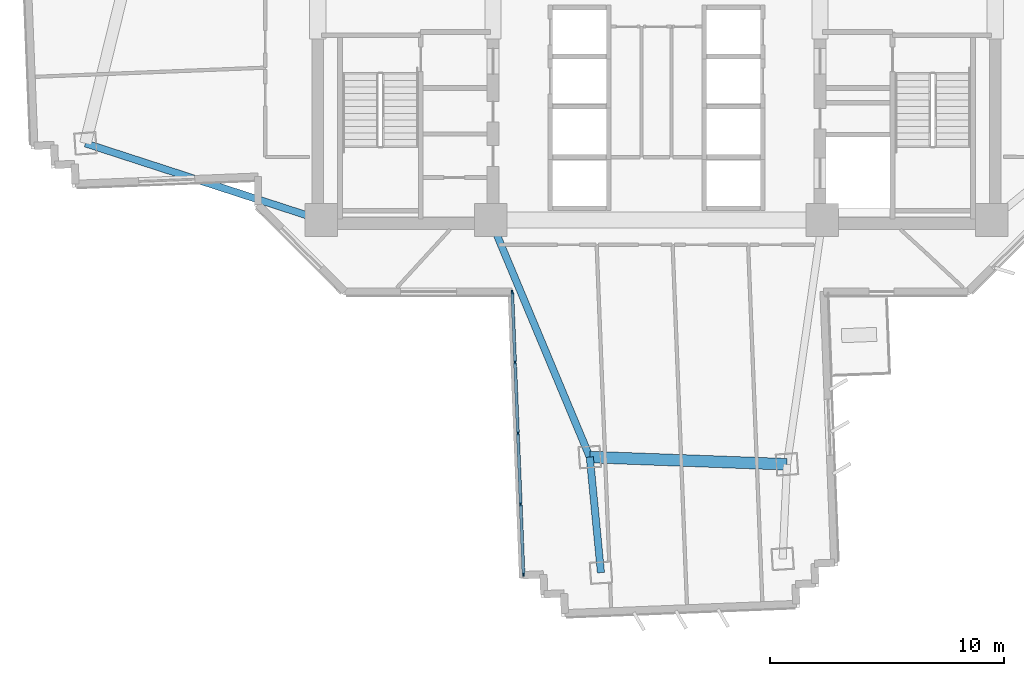
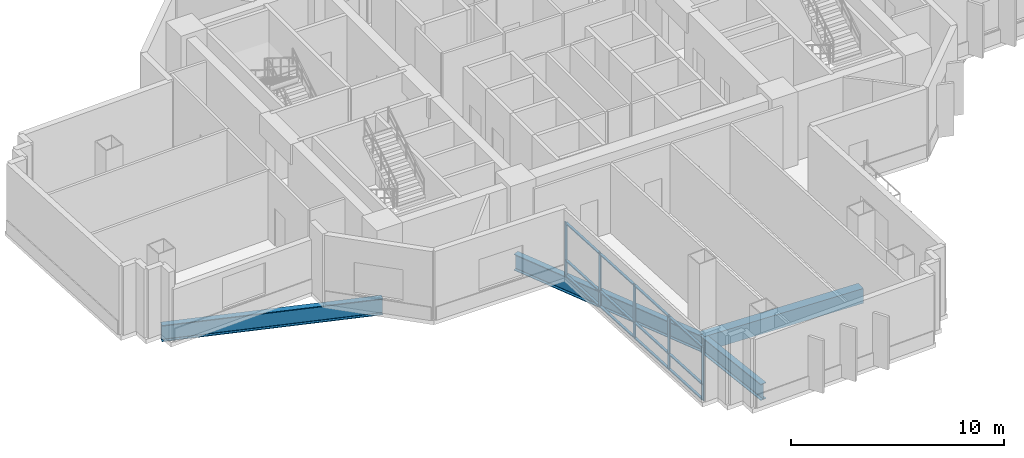
# One storey, part 2 of 16: 17 members, 4 beams, 1 element without a shape of its own.
"""IFC4 building model written with IfcOpenShell, lengths in metres."""

from ifc_helpers import new_model, si_unit, direction, frame, origin, origin_2d, place, context, subcontext, project, spatial, rectangle, i_section, extrude, source, transform, mapped, material, layer, layer_set, material_profile, profile_set, type_object, element, aggregate, save


model = new_model("IFC4")

# Units and contexts
model_context = context("Model", 3, precision=1e-05, world=origin(), true_north=direction((0.0, 1.0)))
body_context = subcontext(model_context, "Body", "Model", "MODEL_VIEW")
ifc_project = project(units=[si_unit("LENGTHUNIT", "METRE"), si_unit("AREAUNIT", "SQUARE_METRE"), si_unit("VOLUMEUNIT", "CUBIC_METRE"), si_unit("PLANEANGLEUNIT", "RADIAN"), si_unit("MASSUNIT", "GRAM", prefix="KILO")], contexts=[model_context])

# Site, building, storey
site_placement = place(None, origin())
site = spatial("IfcSite", under=ifc_project, at=site_placement, CompositionType="ELEMENT")
building_placement = place(site_placement, origin())
building = spatial("IfcBuilding", under=site, at=building_placement, Name="Zahravan Cultural Tower", CompositionType="ELEMENT")
storey_placement = place(building_placement, frame((0.0, 0.0, 54.300048828125)))
storey = spatial("IfcBuildingStorey", under=building, at=storey_placement, Name="L11", CompositionType="ELEMENT", Elevation=54.300048828125)

# Beams
ifc_material_1 = material(Name="Steel ASTM A992 Grade 50", Category="steel")
ifc_material_profile_1 = material_profile(ifc_material_1, i_section(OverallWidth=0.30908203125, OverallDepth=0.931884765625, WebThickness=0.02099609375, FlangeThickness=0.034423828125, FilletRadius=0.02392578125, at=origin_2d()), Name="W36X210")
ifc_profile_set_1 = profile_set([ifc_material_profile_1], Name="Steel ASTM A992 Grade 50")
beam_type_1 = type_object("IfcBeamType", Name="BM-G-W36X210", PredefinedType="BEAM", material=ifc_profile_set_1)
shared_shape_1 = source(origin(), body_context, "Body", "SweptSolid", [
    extrude(i_section(OverallWidth=0.30908203125, OverallDepth=0.931884765625, WebThickness=0.02099609375, FlangeThickness=0.034423828125, FilletRadius=0.02392578125, at=origin_2d()), origin(), (0.0, 0.0, 1.0), 10.615966796875),
])
beam_1_placement = place(storey_placement, frame((21.64990234375, 17.800048828125, -0.716064453125), z_axis=(-0.951063640083, 0.30899506875, 0.0), x_axis=(-0.30899506875, -0.951063640083, 0.0)))
element("IfcBeam", 1, at=beam_1_placement, inside=storey, type_object=beam_type_1, Name="L11 Beam BG-L11-07", PredefinedType="BEAM", context=body_context, shape_type="MappedRepresentation", body=[
    mapped(shared_shape_1, transform((0.0, 0.0, 0.0), x_axis=(1.0, 0.0, 0.0), y_axis=(0.0, 1.0, 0.0), z_axis=(0.0, 0.0, 1.0), scale=1.0)),
])
shared_shape_2 = source(origin(), body_context, "Body", "SweptSolid", [
    extrude(i_section(OverallWidth=0.30908203125, OverallDepth=0.931884765625, WebThickness=0.02099609375, FlangeThickness=0.034423828125, FilletRadius=0.02392578125, at=origin_2d()), origin(), (0.0, 0.0, 1.0), 10.997802734375),
])
beam_2_placement = place(storey_placement, frame((28.89990234375, 17.800048828125, -0.716064453125), z_axis=(0.385775211449, -0.922592806297, 0.0), x_axis=(0.922592806297, 0.385775211449, 0.0)))
element("IfcBeam", 2, at=beam_2_placement, inside=storey, type_object=beam_type_1, Name="L11 Beam BG-L11-08", PredefinedType="BEAM", context=body_context, shape_type="MappedRepresentation", body=[
    mapped(shared_shape_2, transform((0.0, 0.0, 0.0), x_axis=(1.0, 0.0, 0.0), y_axis=(0.0, 1.0, 0.0), z_axis=(0.0, 0.0, 1.0), scale=1.0)),
])
shared_shape_3 = source(origin(), body_context, "Body", "SweptSolid", [
    extrude(i_section(OverallWidth=0.30908203125, OverallDepth=0.931884765625, WebThickness=0.02099609375, FlangeThickness=0.034423828125, FilletRadius=0.02392578125, at=origin_2d()), origin(), (0.0, 0.0, 1.0), 4.973876953125),
])
beam_3_placement = place(storey_placement, frame((33.142578125, 7.653564453125, -0.716064453125), z_axis=(0.096154779131, -0.995366394073, 0.0), x_axis=(0.995366394073, 0.096154779131, 0.0)))
element("IfcBeam", 3, at=beam_3_placement, inside=storey, type_object=beam_type_1, Name="L11 Beam BG-L11-17", PredefinedType="BEAM", context=body_context, shape_type="MappedRepresentation", body=[
    mapped(shared_shape_3, transform((0.0, 0.0, 0.0), x_axis=(1.0, 0.0, 0.0), y_axis=(0.0, 1.0, 0.0), z_axis=(0.0, 0.0, 1.0), scale=1.0)),
])
ifc_material_2 = material(Name="Concrete C50/60", Category="concrete")
ifc_material_profile_2 = material_profile(ifc_material_2, rectangle(XDim=0.5, YDim=0.85009765625, at=origin_2d()), Name="RC500X850")
ifc_profile_set_2 = profile_set([ifc_material_profile_2], Name="Concrete C50/60")
beam_type_2 = type_object("IfcBeamType", Name="BM-SP-RC500X850", PredefinedType="SPANDREL", material=ifc_profile_set_2)
shared_shape_4 = source(origin(), body_context, "Body", "SweptSolid", [
    extrude(rectangle(XDim=0.5, YDim=0.85009765625, at=origin_2d()), origin(), (0.0, 0.0, 1.0), 8.4482421875),
])
beam_4_placement = place(storey_placement, frame((33.142578125, 7.653564453125, -0.675048828125), z_axis=(0.999318826256, -0.036903705643, 0.0), x_axis=(0.036903705643, 0.999318826256, 0.0)))
element("IfcBeam", 4, at=beam_4_placement, inside=storey, type_object=beam_type_2, Name="L11 Beam SP-L11-19", PredefinedType="SPANDREL", context=body_context, shape_type="MappedRepresentation", body=[
    mapped(shared_shape_4, transform((0.0, 0.0, 0.0), x_axis=(1.0, 0.0, 0.0), y_axis=(0.0, 1.0, 0.0), z_axis=(0.0, 0.0, 1.0), scale=1.0)),
])

# Curtain wall, members
ifc_material_3 = material(Name="Anodised bronze-aluminium mullion", Category="aluminium")
ifc_layer = layer(ifc_material_3, 0.1650390625)
ifc_layer_set = layer_set([ifc_layer], Name="Anodised bronze-aluminium mullion")
curtain_wall_type = type_object("IfcCurtainWallType", Name="CW-SYS-4", PredefinedType="USERDEFINED", material=ifc_layer_set)
curtain_wall_placement = place(storey_placement, origin())
curtain_wall = element("IfcCurtainWall", 5, at=curtain_wall_placement, inside=storey, type_object=curtain_wall_type, Name="L11 Recessed Curtain Wall CW-4.1", ObjectType="RECESSED GLAZING", PredefinedType="USERDEFINED")
ifc_material_profile_3 = material_profile(ifc_material_3, rectangle(XDim=0.06494140625, YDim=0.1650390625, at=origin_2d()), Name="AL-M65X165")
ifc_profile_set_3 = profile_set([ifc_material_profile_3], Name="Anodised bronze-aluminium mullion")
member_type_1 = type_object("IfcMemberType", Name="CWM-CW-4", PredefinedType="MULLION", material=ifc_profile_set_3)
shared_shape_5 = source(origin(), body_context, "Body", "SweptSolid", [
    extrude(rectangle(XDim=0.06494140625, YDim=0.1650390625, at=origin_2d()), origin(), (0.0, 0.0, 1.0), 3.070068359375),
])
member_1_placement = place(storey_placement, frame((30.30517578125, 2.626708984375, 0.0), z_axis=(0.0, 0.0, 1.0), x_axis=(-0.99920827504, -0.039784709273, 0.0)))
member_1 = element("IfcMember", 6, at=member_1_placement, type_object=member_type_1, Name="CW-4 mullion 1", PredefinedType="MULLION", context=body_context, shape_type="MappedRepresentation", body=[
    mapped(shared_shape_5, transform((0.0, 0.0, 0.0), x_axis=(1.0, 0.0, 0.0), y_axis=(0.0, 1.0, 0.0), z_axis=(0.0, 0.0, 1.0), scale=1.0)),
])
member_2_placement = place(storey_placement, frame((30.185546875, 5.630615234375, 0.0), z_axis=(0.0, 0.0, 1.0), x_axis=(-0.99920827504, -0.039784709273, 0.0)))
member_2 = element("IfcMember", 7, at=member_2_placement, type_object=member_type_1, Name="CW-4 mullion 2", PredefinedType="MULLION", context=body_context, shape_type="MappedRepresentation", body=[
    mapped(shared_shape_5, transform((0.0, 0.0, 0.0), x_axis=(1.0, 0.0, 0.0), y_axis=(0.0, 1.0, 0.0), z_axis=(0.0, 0.0, 1.0), scale=1.0)),
])
member_3_placement = place(storey_placement, frame((30.064697265625, 8.6669921875, 0.0), z_axis=(0.0, 0.0, 1.0), x_axis=(-0.99920827504, -0.039784709273, 0.0)))
member_3 = element("IfcMember", 8, at=member_3_placement, type_object=member_type_1, Name="CW-4 mullion 3", PredefinedType="MULLION", context=body_context, shape_type="MappedRepresentation", body=[
    mapped(shared_shape_5, transform((0.0, 0.0, 0.0), x_axis=(1.0, 0.0, 0.0), y_axis=(0.0, 1.0, 0.0), z_axis=(0.0, 0.0, 1.0), scale=1.0)),
])
member_4_placement = place(storey_placement, frame((29.943603515625, 11.70361328125, 0.0), z_axis=(0.0, 0.0, 1.0), x_axis=(-0.99920827504, -0.039784709273, 0.0)))
member_4 = element("IfcMember", 9, at=member_4_placement, type_object=member_type_1, Name="CW-4 mullion 4", PredefinedType="MULLION", context=body_context, shape_type="MappedRepresentation", body=[
    mapped(shared_shape_5, transform((0.0, 0.0, 0.0), x_axis=(1.0, 0.0, 0.0), y_axis=(0.0, 1.0, 0.0), z_axis=(0.0, 0.0, 1.0), scale=1.0)),
])
member_5_placement = place(storey_placement, frame((29.823974609375, 14.70751953125, 0.0), z_axis=(0.0, 0.0, 1.0), x_axis=(-0.99920827504, -0.039784709273, 0.0)))
member_5 = element("IfcMember", 10, at=member_5_placement, type_object=member_type_1, Name="CW-4 mullion 5", PredefinedType="MULLION", context=body_context, shape_type="MappedRepresentation", body=[
    mapped(shared_shape_5, transform((0.0, 0.0, 0.0), x_axis=(1.0, 0.0, 0.0), y_axis=(0.0, 1.0, 0.0), z_axis=(0.0, 0.0, 1.0), scale=1.0)),
])
ifc_material_profile_4 = material_profile(ifc_material_3, rectangle(XDim=0.1298828125, YDim=0.06494140625, at=origin_2d()), Name="AL-T65X130")
ifc_profile_set_4 = profile_set([ifc_material_profile_4], Name="Anodised bronze-aluminium mullion")
member_type_2 = type_object("IfcMemberType", Name="CWT-CW-4", PredefinedType="USERDEFINED", material=ifc_profile_set_4)
shared_shape_6 = source(origin(), body_context, "Body", "SweptSolid", [
    extrude(rectangle(XDim=0.1298828125, YDim=0.06494140625, at=origin_2d()), origin(), (0.0, 0.0, 1.0), 2.94140625),
])
member_6_placement = place(storey_placement, frame((30.3037109375, 2.6591796875, 0.032470703125), z_axis=(-0.039759200041, 0.999209290395, 0.0), x_axis=(-0.999209290395, -0.039759200041, 0.0)))
member_6 = element("IfcMember", 11, at=member_6_placement, type_object=member_type_2, Name="CW-4 transom 1.1", ObjectType="TRANSOM", PredefinedType="USERDEFINED", context=body_context, shape_type="MappedRepresentation", body=[
    mapped(shared_shape_6, transform((0.0, 0.0, 0.0), x_axis=(1.0, 0.0, 0.0), y_axis=(0.0, 1.0, 0.0), z_axis=(0.0, 0.0, 1.0), scale=1.0)),
])
member_7_placement = place(storey_placement, frame((30.3037109375, 2.6591796875, 0.89990234375), z_axis=(-0.039759200041, 0.999209290395, 0.0), x_axis=(-0.999209290395, -0.039759200041, 0.0)))
member_7 = element("IfcMember", 12, at=member_7_placement, type_object=member_type_2, Name="CW-4 transom 1.2", ObjectType="TRANSOM", PredefinedType="USERDEFINED", context=body_context, shape_type="MappedRepresentation", body=[
    mapped(shared_shape_6, transform((0.0, 0.0, 0.0), x_axis=(1.0, 0.0, 0.0), y_axis=(0.0, 1.0, 0.0), z_axis=(0.0, 0.0, 1.0), scale=1.0)),
])
member_8_placement = place(storey_placement, frame((30.3037109375, 2.6591796875, 3.037353515625), z_axis=(-0.039759200041, 0.999209290395, 0.0), x_axis=(-0.999209290395, -0.039759200041, 0.0)))
member_8 = element("IfcMember", 13, at=member_8_placement, type_object=member_type_2, Name="CW-4 transom 1.3", ObjectType="TRANSOM", PredefinedType="USERDEFINED", context=body_context, shape_type="MappedRepresentation", body=[
    mapped(shared_shape_6, transform((0.0, 0.0, 0.0), x_axis=(1.0, 0.0, 0.0), y_axis=(0.0, 1.0, 0.0), z_axis=(0.0, 0.0, 1.0), scale=1.0)),
])
member_9_placement = place(storey_placement, frame((29.9423828125, 11.736083984375, 0.032470703125), z_axis=(-0.039759200041, 0.999209290395, 0.0), x_axis=(-0.999209290395, -0.039759200041, 0.0)))
member_9 = element("IfcMember", 14, at=member_9_placement, type_object=member_type_2, Name="CW-4 transom 4.1", ObjectType="TRANSOM", PredefinedType="USERDEFINED", context=body_context, shape_type="MappedRepresentation", body=[
    mapped(shared_shape_6, transform((0.0, 0.0, 0.0), x_axis=(1.0, 0.0, 0.0), y_axis=(0.0, 1.0, 0.0), z_axis=(0.0, 0.0, 1.0), scale=1.0)),
])
member_10_placement = place(storey_placement, frame((29.9423828125, 11.736083984375, 0.89990234375), z_axis=(-0.039759200041, 0.999209290395, 0.0), x_axis=(-0.999209290395, -0.039759200041, 0.0)))
member_10 = element("IfcMember", 15, at=member_10_placement, type_object=member_type_2, Name="CW-4 transom 4.2", ObjectType="TRANSOM", PredefinedType="USERDEFINED", context=body_context, shape_type="MappedRepresentation", body=[
    mapped(shared_shape_6, transform((0.0, 0.0, 0.0), x_axis=(1.0, 0.0, 0.0), y_axis=(0.0, 1.0, 0.0), z_axis=(0.0, 0.0, 1.0), scale=1.0)),
])
member_11_placement = place(storey_placement, frame((29.9423828125, 11.736083984375, 3.037353515625), z_axis=(-0.039759200041, 0.999209290395, 0.0), x_axis=(-0.999209290395, -0.039759200041, 0.0)))
member_11 = element("IfcMember", 16, at=member_11_placement, type_object=member_type_2, Name="CW-4 transom 4.3", ObjectType="TRANSOM", PredefinedType="USERDEFINED", context=body_context, shape_type="MappedRepresentation", body=[
    mapped(shared_shape_6, transform((0.0, 0.0, 0.0), x_axis=(1.0, 0.0, 0.0), y_axis=(0.0, 1.0, 0.0), z_axis=(0.0, 0.0, 1.0), scale=1.0)),
])
shared_shape_7 = source(origin(), body_context, "Body", "SweptSolid", [
    extrude(rectangle(XDim=0.1298828125, YDim=0.06494140625, at=origin_2d()), origin(), (0.0, 0.0, 1.0), 2.973876953125),
])
member_12_placement = place(storey_placement, frame((30.184326171875, 5.6630859375, 0.032470703125), z_axis=(-0.039817220058, 0.999206980053, 0.0), x_axis=(-0.999206980053, -0.039817220058, 0.0)))
member_12 = element("IfcMember", 17, at=member_12_placement, type_object=member_type_2, Name="CW-4 transom 2.1", ObjectType="TRANSOM", PredefinedType="USERDEFINED", context=body_context, shape_type="MappedRepresentation", body=[
    mapped(shared_shape_7, transform((0.0, 0.0, 0.0), x_axis=(1.0, 0.0, 0.0), y_axis=(0.0, 1.0, 0.0), z_axis=(0.0, 0.0, 1.0), scale=1.0)),
])
member_13_placement = place(storey_placement, frame((30.184326171875, 5.6630859375, 0.89990234375), z_axis=(-0.039817220058, 0.999206980053, 0.0), x_axis=(-0.999206980053, -0.039817220058, 0.0)))
member_13 = element("IfcMember", 18, at=member_13_placement, type_object=member_type_2, Name="CW-4 transom 2.2", ObjectType="TRANSOM", PredefinedType="USERDEFINED", context=body_context, shape_type="MappedRepresentation", body=[
    mapped(shared_shape_7, transform((0.0, 0.0, 0.0), x_axis=(1.0, 0.0, 0.0), y_axis=(0.0, 1.0, 0.0), z_axis=(0.0, 0.0, 1.0), scale=1.0)),
])
member_14_placement = place(storey_placement, frame((30.184326171875, 5.6630859375, 3.037353515625), z_axis=(-0.039817220058, 0.999206980053, 0.0), x_axis=(-0.999206980053, -0.039817220058, 0.0)))
member_14 = element("IfcMember", 19, at=member_14_placement, type_object=member_type_2, Name="CW-4 transom 2.3", ObjectType="TRANSOM", PredefinedType="USERDEFINED", context=body_context, shape_type="MappedRepresentation", body=[
    mapped(shared_shape_7, transform((0.0, 0.0, 0.0), x_axis=(1.0, 0.0, 0.0), y_axis=(0.0, 1.0, 0.0), z_axis=(0.0, 0.0, 1.0), scale=1.0)),
])
shared_shape_8 = source(origin(), body_context, "Body", "SweptSolid", [
    extrude(rectangle(XDim=0.1298828125, YDim=0.06494140625, at=origin_2d()), origin(), (0.0, 0.0, 1.0), 2.97412109375),
])
member_15_placement = place(storey_placement, frame((30.063232421875, 8.699462890625, 0.032470703125), z_axis=(-0.039731993127, 0.999210372605, 0.0), x_axis=(-0.999210372605, -0.039731993127, 0.0)))
member_15 = element("IfcMember", 20, at=member_15_placement, type_object=member_type_2, Name="CW-4 transom 3.1", ObjectType="TRANSOM", PredefinedType="USERDEFINED", context=body_context, shape_type="MappedRepresentation", body=[
    mapped(shared_shape_8, transform((0.0, 0.0, 0.0), x_axis=(1.0, 0.0, 0.0), y_axis=(0.0, 1.0, 0.0), z_axis=(0.0, 0.0, 1.0), scale=1.0)),
])
member_16_placement = place(storey_placement, frame((30.063232421875, 8.699462890625, 0.89990234375), z_axis=(-0.039731993127, 0.999210372605, 0.0), x_axis=(-0.999210372605, -0.039731993127, 0.0)))
member_16 = element("IfcMember", 21, at=member_16_placement, type_object=member_type_2, Name="CW-4 transom 3.2", ObjectType="TRANSOM", PredefinedType="USERDEFINED", context=body_context, shape_type="MappedRepresentation", body=[
    mapped(shared_shape_8, transform((0.0, 0.0, 0.0), x_axis=(1.0, 0.0, 0.0), y_axis=(0.0, 1.0, 0.0), z_axis=(0.0, 0.0, 1.0), scale=1.0)),
])
member_17_placement = place(storey_placement, frame((30.063232421875, 8.699462890625, 3.037353515625), z_axis=(-0.039731993127, 0.999210372605, 0.0), x_axis=(-0.999210372605, -0.039731993127, 0.0)))
member_17 = element("IfcMember", 22, at=member_17_placement, type_object=member_type_2, Name="CW-4 transom 3.3", ObjectType="TRANSOM", PredefinedType="USERDEFINED", context=body_context, shape_type="MappedRepresentation", body=[
    mapped(shared_shape_8, transform((0.0, 0.0, 0.0), x_axis=(1.0, 0.0, 0.0), y_axis=(0.0, 1.0, 0.0), z_axis=(0.0, 0.0, 1.0), scale=1.0)),
])
aggregate(curtain_wall, [member_1, member_2, member_3, member_4, member_5, member_6, member_7, member_8, member_12, member_13, member_14, member_15, member_16, member_17, member_9, member_10, member_11])

save(model, "model.ifc")
